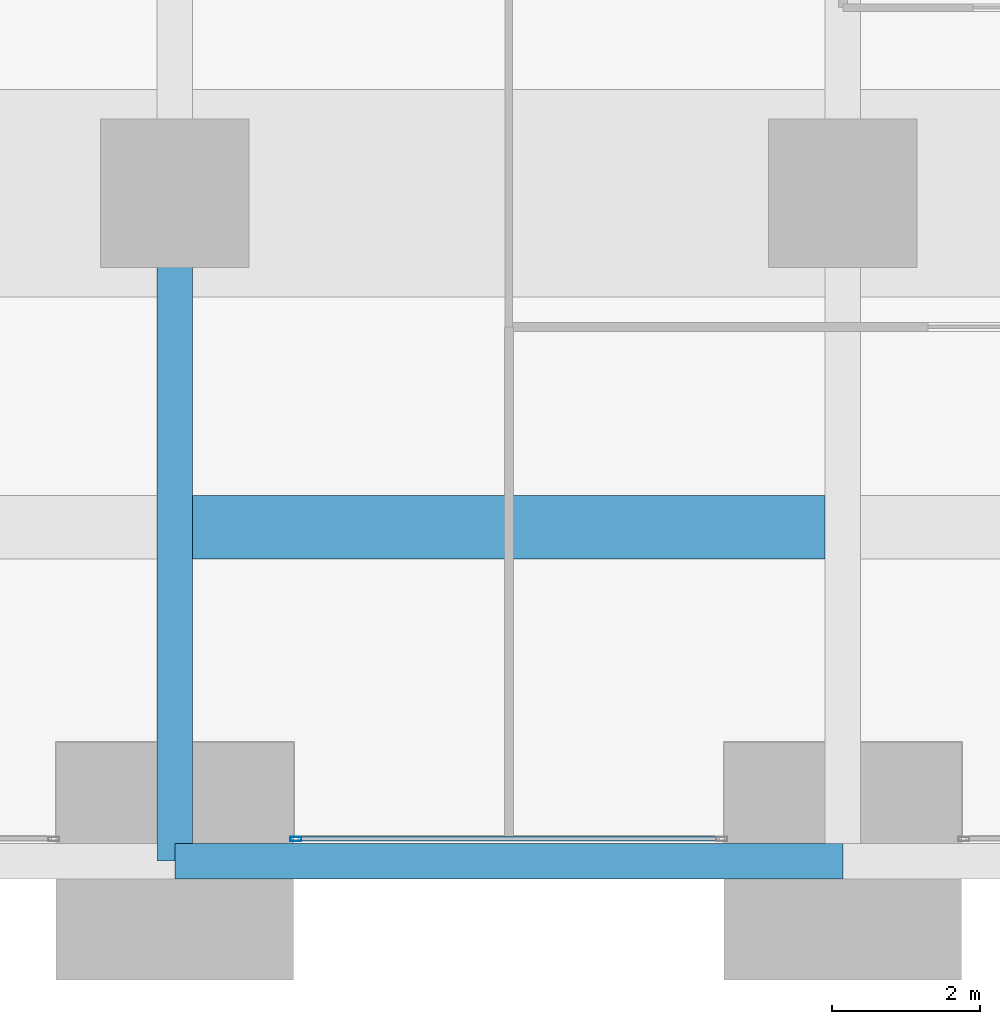
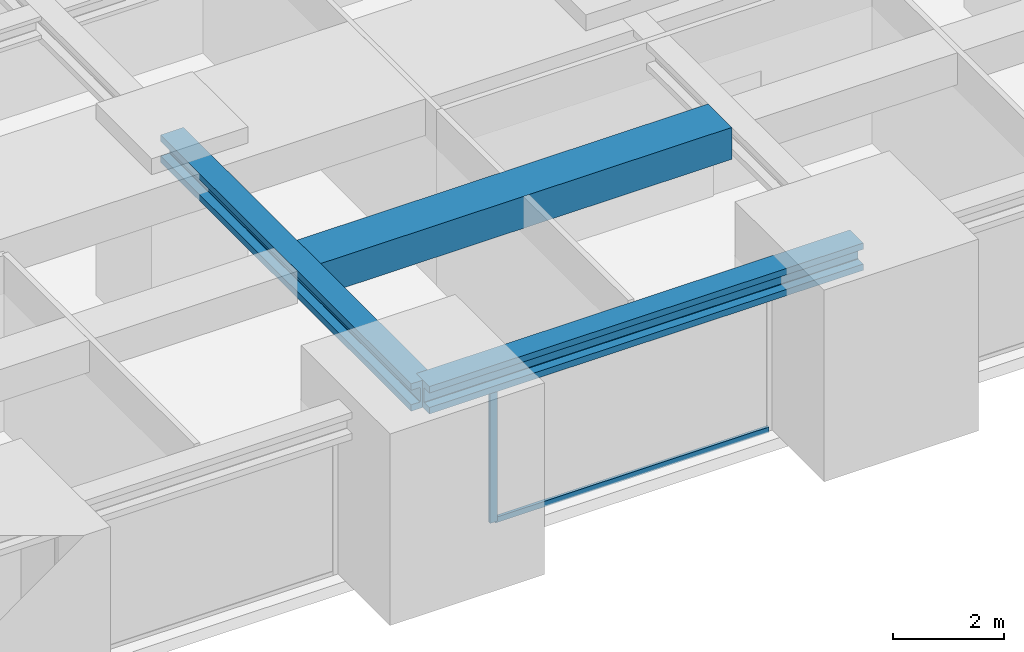
# One storey, part 8 of 45: 3 beams, 2 members, 1 element without a shape of its own.
"""IFC4 building model written with IfcOpenShell, lengths in metres."""

from ifc_helpers import new_model, si_unit, direction, frame, origin, origin_2d, place, context, subcontext, project, spatial, rectangle, hollow_rectangle, i_section, extrude, material, material_profile, profile_set, type_object, element, aggregate, save


model = new_model("IFC4")

# Units and contexts
model_context = context("Model", 3, precision=1e-05, world=origin(), true_north=direction((0.0, 1.0)))
body_context = subcontext(model_context, "Body", "Model", "MODEL_VIEW")
ifc_project = project(units=[si_unit("LENGTHUNIT", "METRE"), si_unit("AREAUNIT", "SQUARE_METRE"), si_unit("VOLUMEUNIT", "CUBIC_METRE"), si_unit("PLANEANGLEUNIT", "RADIAN"), si_unit("MASSUNIT", "GRAM", prefix="KILO")], contexts=[model_context])

# Site, building, storey
site_placement = place(None, origin())
site = spatial("IfcSite", under=ifc_project, at=site_placement, CompositionType="ELEMENT")
building_placement = place(site_placement, origin())
building = spatial("IfcBuilding", under=site, at=building_placement, Name="Zorevar Civic Tower", CompositionType="ELEMENT")
storey_placement = place(building_placement, frame((0.0, 0.0, 153.0)))
storey = spatial("IfcBuildingStorey", under=building, at=storey_placement, Name="L37", CompositionType="ELEMENT", Elevation=153.0)

# Beams
ifc_material_1 = material(Name="Concrete C50/60", Category="concrete")
ifc_material_profile_1 = material_profile(ifc_material_1, rectangle(XDim=0.85009765625, YDim=0.699951171875, at=origin_2d()), Name="RC 850x700")
ifc_profile_set_1 = profile_set([ifc_material_profile_1], Name="Concrete C50/60")
beam_type_1 = type_object("IfcBeamType", Name="Beam RC 850x700", PredefinedType="BEAM", material=ifc_profile_set_1)
beam_1_placement = place(storey_placement, frame((27.238037109375, 4.5, 3.5), z_axis=(1.0, 0.0, 0.0), x_axis=(0.0, 1.0, 0.0)))
element("IfcBeam", 1, at=beam_1_placement, inside=storey, type_object=beam_type_1, Name="Secondary beam L38", PredefinedType="BEAM", context=body_context, shape_type="SweptSolid", body=[
    extrude(rectangle(XDim=0.85009765625, YDim=0.699951171875, at=origin_2d()), origin(), (0.0, 0.0, 1.0), 8.52392578125),
])
ifc_material_2 = material(Name="Steel S460M (HISTAR 460)", Category="steel")
ifc_material_profile_2 = material_profile(ifc_material_2, i_section(OverallWidth=0.47607421875, OverallDepth=0.60009765625, WebThickness=0.10009765625, FlangeThickness=0.139892578125, FilletRadius=0.014892578125, at=origin_2d()), Name="HD 400x1299")
ifc_profile_set_2 = profile_set([ifc_material_profile_2], Name="Steel S460M (HISTAR 460)")
beam_type_2 = type_object("IfcBeamType", Name="Belt chord HD 400x1299", PredefinedType="BEAM", material=ifc_profile_set_2)
beam_2_placement = place(storey_placement, frame((27.0, 0.0, 3.550048828125), z_axis=(1.0, 0.0, 0.0), x_axis=(0.0, 1.0, 0.0)))
element("IfcBeam", 2, at=beam_2_placement, inside=storey, type_object=beam_type_2, Name="Belt chord L38", PredefinedType="BEAM", context=body_context, shape_type="SweptSolid", body=[
    extrude(i_section(OverallWidth=0.47607421875, OverallDepth=0.60009765625, WebThickness=0.10009765625, FlangeThickness=0.139892578125, FilletRadius=0.014892578125, at=origin_2d()), origin(), (0.0, 0.0, 1.0), 9.0),
])

# Curtain wall, members
ifc_material_3 = material(Name="Dark grey solar-control glass in black aluminium frame", Category="aluminium")
curtain_wall_type = type_object("IfcCurtainWallType", Name="Curtain wall CW3 mid zone", PredefinedType="NOTDEFINED", material=ifc_material_3)
curtain_wall_placement = place(storey_placement, origin())
curtain_wall = element("IfcCurtainWall", 3, at=curtain_wall_placement, inside=storey, type_object=curtain_wall_type, Name="CW3 L37", PredefinedType="NOTDEFINED")
ifc_material_4 = material(Name="Aluminium, black anodised", Category="aluminium")
ifc_material_profile_3 = material_profile(ifc_material_4, hollow_rectangle(XDim=0.06005859375, YDim=0.14990234375, WallThickness=0.00390625, at=origin_2d()), Name="AL 150x60x4")
ifc_profile_set_3 = profile_set([ifc_material_profile_3], Name="Aluminium, black anodised")
member_type_1 = type_object("IfcMemberType", Name="CW3 mullion AL 150x60x4", PredefinedType="MULLION", material=ifc_profile_set_3)
member_1_placement = place(storey_placement, frame((28.6298828125, 0.300048828125, 0.0), z_axis=(0.0, 0.0, 1.0), x_axis=(0.0, 1.0, 0.0)))
member_1 = element("IfcMember", 4, at=member_1_placement, type_object=member_type_1, Name="CW3 mullion 1", PredefinedType="MULLION", context=body_context, shape_type="SweptSolid", body=[
    extrude(hollow_rectangle(XDim=0.06005859375, YDim=0.14990234375, WallThickness=0.00390625, at=origin_2d()), origin(), (0.0, 0.0, 1.0), 3.050048828125),
])
ifc_material_5 = material(Name="Aluminium, black anodised", Category="aluminium")
ifc_material_profile_4 = material_profile(ifc_material_5, hollow_rectangle(XDim=0.06005859375, YDim=0.1201171875, WallThickness=0.0029296875, at=origin_2d()), Name="AL 120x60x3")
ifc_profile_set_4 = profile_set([ifc_material_profile_4], Name="Aluminium, black anodised")
member_type_2 = type_object("IfcMemberType", Name="CW3 transom AL 120x60x3", PredefinedType="USERDEFINED", material=ifc_profile_set_4)
member_2_placement = place(storey_placement, frame((28.659912109375, 0.300048828125, 0.030029296875), z_axis=(1.0, 0.0, 0.0), x_axis=(0.0, 1.0, 0.0)))
member_2 = element("IfcMember", 5, at=member_2_placement, type_object=member_type_2, Name="CW3 sill transom", ObjectType="TRANSOM", PredefinedType="USERDEFINED", context=body_context, shape_type="SweptSolid", body=[
    extrude(hollow_rectangle(XDim=0.06005859375, YDim=0.1201171875, WallThickness=0.0029296875, at=origin_2d()), origin(), (0.0, 0.0, 1.0), 5.68017578125),
])
aggregate(curtain_wall, [member_1, member_2])

# Beam
ifc_material_6 = material(Name="Steel S460M (HISTAR 460)", Category="steel")
ifc_material_profile_5 = material_profile(ifc_material_6, i_section(OverallWidth=0.47607421875, OverallDepth=0.60009765625, WebThickness=0.10009765625, FlangeThickness=0.139892578125, FilletRadius=0.014892578125, at=origin_2d()), Name="HD 400x1299")
ifc_profile_set_5 = profile_set([ifc_material_profile_5], Name="Steel S460M (HISTAR 460)")
beam_type_3 = type_object("IfcBeamType", Name="Outrigger chord HD 400x1299", PredefinedType="BEAM", material=ifc_profile_set_5)
beam_3_placement = place(storey_placement, frame((27.0, 0.0, 3.550048828125), z_axis=(0.0, 1.0, 0.0), x_axis=(-1.0, 0.0, 0.0)))
element("IfcBeam", 6, at=beam_3_placement, inside=storey, type_object=beam_type_3, Name="Outrigger chord L38", PredefinedType="BEAM", context=body_context, shape_type="SweptSolid", body=[
    extrude(i_section(OverallWidth=0.47607421875, OverallDepth=0.60009765625, WebThickness=0.10009765625, FlangeThickness=0.139892578125, FilletRadius=0.014892578125, at=origin_2d()), origin(), (0.0, 0.0, 1.0), 9.0),
])

save(model, "model.ifc")
